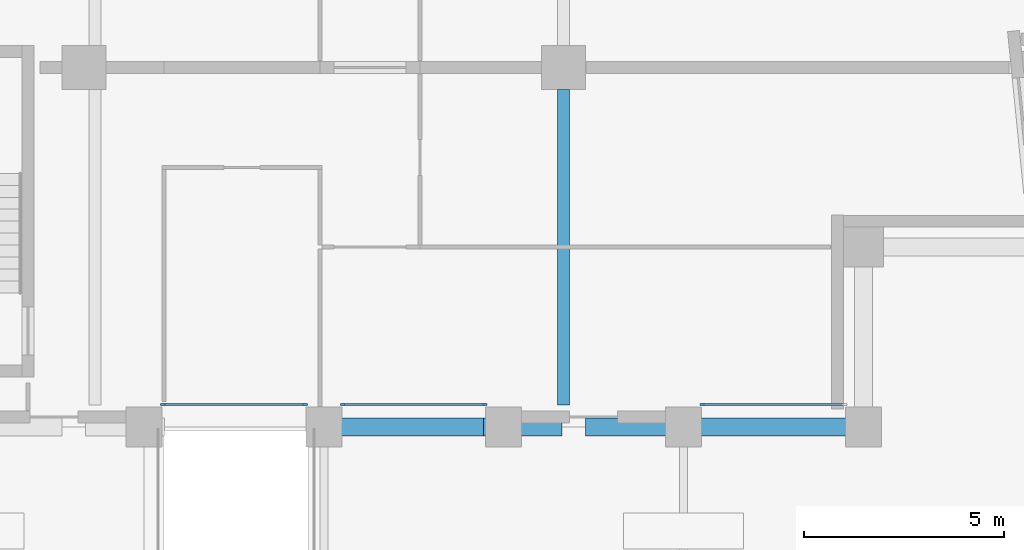
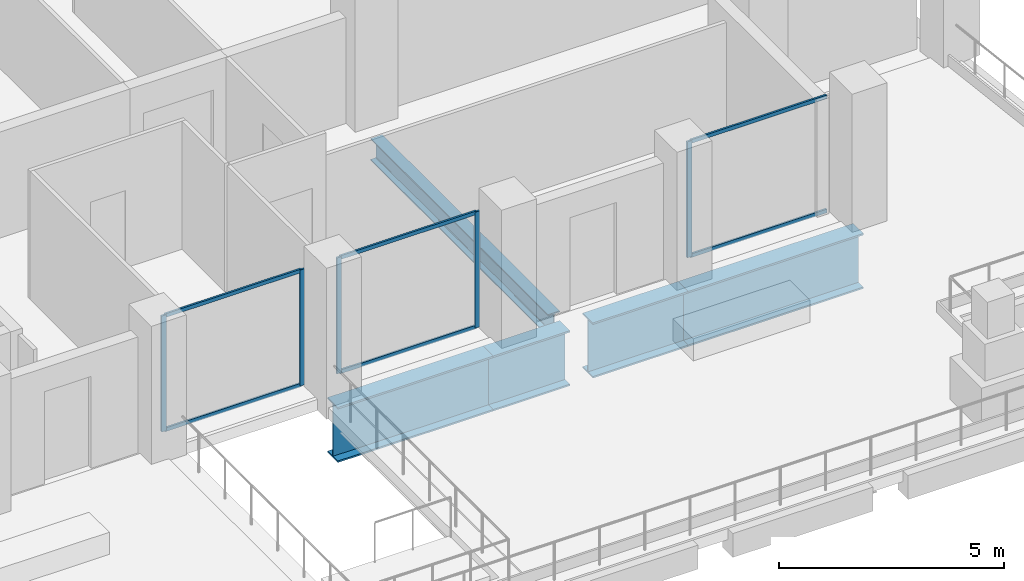
# One storey, part 2 of 19: 11 members, 5 beams, 3 elements without a shape of their own.
"""IFC4 building model written with IfcOpenShell, lengths in metres."""

import ifcopenshell
import ifcopenshell.guid

model = None  # the IFC model being written
_history = None  # IfcOwnerHistory: only IFC2X3 demands one
_inside = {}  # id of a spatial element -> (the spatial element, [elements in it])
_under = {}  # id of a project, library or spatial element -> (it, [spatial elements below it])
_declared = {}  # id of a project -> (the project, [libraries it declares])
_typed = {}  # id of a type object -> (the type object, [elements of that type])
_made_of = {}  # id of a material, layer set ... -> (it, [elements and type objects made of it])


def new_model(schema):
    """Start an empty IFC model of exactly this schema.

    Asked for "IFC4X3", IfcOpenShell would pick the latest addendum, in which some entities
    have other attributes; the version numbers below select the first issue.
    IFC2X3 requires an IfcOwnerHistory on every rooted entity: one is made here for all.
    """
    global model, _history
    if schema == "IFC4X3":
        model = ifcopenshell.file(schema_version=(4, 3, 0, 0))
    else:
        model = ifcopenshell.file(schema=schema)
    _inside.clear()
    _under.clear()
    _declared.clear()
    _typed.clear()
    _made_of.clear()
    _history = None
    if model.schema == "IFC2X3":
        org = make("IfcOrganization", Name="unknown")
        user = make(
            "IfcPersonAndOrganization",
            ThePerson=make("IfcPerson", FamilyName="unknown"),
            TheOrganization=org,
        )
        app = make(
            "IfcApplication",
            ApplicationDeveloper=org,
            Version="unknown",
            ApplicationFullName="unknown",
            ApplicationIdentifier="unknown",
        )
        _history = make(
            "IfcOwnerHistory",
            OwningUser=user,
            OwningApplication=app,
            ChangeAction="ADDED",
            CreationDate=0,
        )
    return model


def make(cls, **values):
    """One entity of the class cls with the attributes given. An attribute that is None is left unset."""
    return model.create_entity(
        cls, **{name: value for name, value in values.items() if value is not None}
    )


def rooted(cls, **values):
    """An entity with a GlobalId (a new one), such as an element, a storey or a relation."""
    return make(cls, GlobalId=ifcopenshell.guid.new(), OwnerHistory=_history, **values)


def si_unit(unit_type, name, prefix=None):
    """IfcSIUnit, for example si_unit("LENGTHUNIT", "METRE", prefix="MILLI")."""
    return make("IfcSIUnit", UnitType=unit_type, Prefix=prefix, Name=name)


def assignment(units):
    """IfcUnitAssignment: the units of a project."""
    return None if units is None else make("IfcUnitAssignment", Units=units)


def point(xyz):
    """IfcCartesianPoint."""
    return None if xyz is None else make("IfcCartesianPoint", Coordinates=xyz)


def direction(xyz):
    """IfcDirection."""
    return None if xyz is None else make("IfcDirection", DirectionRatios=xyz)


def frame(location, z_axis=None, x_axis=None):
    """IfcAxis2Placement3D, a coordinate frame: its origin and axes. An axis left out is left unset."""
    return make(
        "IfcAxis2Placement3D",
        Location=point(location),
        Axis=direction(z_axis),
        RefDirection=direction(x_axis),
    )


def frame_2d(location, x_axis=None):
    """IfcAxis2Placement2D, a coordinate frame in the plane: its origin and x axis."""
    return make(
        "IfcAxis2Placement2D", Location=point(location), RefDirection=direction(x_axis)
    )


def origin():
    """The frame at (0, 0, 0) with its axes left unset."""
    return frame((0.0, 0.0, 0.0))


def origin_2d():
    """The frame at (0, 0) in the plane with its x axis left unset."""
    return frame_2d((0.0, 0.0))


def place(relative_to, where):
    """IfcLocalPlacement: puts the frame where relative to a parent placement (None: the world)."""
    return make(
        "IfcLocalPlacement", PlacementRelTo=relative_to, RelativePlacement=where
    )


def context(
    kind, dimensions, precision=None, world=None, true_north=None, identifier=None
):
    """IfcGeometricRepresentationContext, for example the 3D "Model" context."""
    return make(
        "IfcGeometricRepresentationContext",
        ContextIdentifier=identifier,
        ContextType=kind,
        CoordinateSpaceDimension=dimensions,
        Precision=precision,
        WorldCoordinateSystem=world,
        TrueNorth=true_north,
    )


def subcontext(parent, identifier, kind, view, scale=None):
    """IfcGeometricRepresentationSubContext, for example "Body" below "Model"."""
    return make(
        "IfcGeometricRepresentationSubContext",
        ContextIdentifier=identifier,
        ContextType=kind,
        ParentContext=parent,
        TargetScale=scale,
        TargetView=view,
    )


def project(units=None, contexts=None):
    """IfcProject with its units and contexts."""
    return rooted(
        "IfcProject",
        Name="project",
        RepresentationContexts=contexts,
        UnitsInContext=assignment(units),
    )


def spatial(cls, under=None, at=None, **own):
    """A site, building, storey or space (cls), placed at a placement, below another one or the project."""
    s = rooted(cls, ObjectPlacement=at, **own)
    if under is not None:
        _under.setdefault(under.id(), (under, []))[1].append(s)
    return s


def profile(cls, at=None, kind="AREA", **sizes):
    """A parametric profile (cls). Its sizes go by their IFC names, for example OverallWidth=200.0."""
    return make(cls, ProfileType=kind, Position=at, **sizes)


def rectangle(**sizes):
    """IfcRectangleProfileDef."""
    return profile("IfcRectangleProfileDef", **sizes)


def i_section(**sizes):
    """IfcIShapeProfileDef."""
    return profile("IfcIShapeProfileDef", **sizes)


def extrude(swept, where, along, depth):
    """IfcExtrudedAreaSolid: the profile swept, set in the frame where, extruded along a direction by depth."""
    return make(
        "IfcExtrudedAreaSolid",
        SweptArea=swept,
        Position=where,
        ExtrudedDirection=direction(along),
        Depth=depth,
    )


def shape(context_of_items, identifier, shape_type, items):
    """IfcShapeRepresentation: the items that make up one representation, for example the "Body"."""
    return make(
        "IfcShapeRepresentation",
        ContextOfItems=context_of_items,
        RepresentationIdentifier=identifier,
        RepresentationType=shape_type,
        Items=items,
    )


def material(Name=None, Category=None):
    """IfcMaterial."""
    return make("IfcMaterial", Name=Name, Category=Category)


def material_profile(
    of_material, cross_section, Name=None, Category=None, Priority=None
):
    """IfcMaterialProfile: a cross section and its material."""
    return make(
        "IfcMaterialProfile",
        Name=Name,
        Material=of_material,
        Profile=cross_section,
        Priority=Priority,
        Category=Category,
    )


def profile_set(profiles, Name=None, composite=None):
    """IfcMaterialProfileSet."""
    return make(
        "IfcMaterialProfileSet",
        Name=Name,
        MaterialProfiles=profiles,
        CompositeProfile=composite,
    )


def made_of(thing, what):
    """Note that an element or type object is made of a material, layer set ...; save() writes the relation."""
    if what is not None:
        _made_of.setdefault(what.id(), (what, []))[1].append(thing)
    return thing


def type_object(cls, material=None, **own):
    """A type object (cls), such as IfcWallType, which elements share."""
    return made_of(rooted(cls, **own), material)


def element(
    cls,
    number,
    at=None,
    inside=None,
    cuts=None,
    type_object=None,
    material=None,
    context=None,
    identifier="Body",
    shape_type=None,
    held_by="IfcProductDefinitionShape",
    body=None,
    shapes=None,
    **own,
):
    """One element of the class cls, such as IfcWall. Its Tag is "e" and its number.

    at: its placement. inside: the storey or other place that contains it. cuts: it is an
    opening in that element (IfcRelVoidsElement). A single representation is given by context,
    identifier, shape_type and body (its items); several are given by shapes. held_by: the class
    of the entity that holds the representations. save() writes the other relations.
    """
    e = rooted(cls, Tag="e%d" % number, ObjectPlacement=at, **own)
    if body is not None:
        shapes = [shape(context, identifier, shape_type, body)]
    if shapes is not None:
        e.Representation = make(held_by, Representations=shapes)
    if inside is not None:
        _inside.setdefault(inside.id(), (inside, []))[1].append(e)
    if cuts is not None:
        rooted(
            "IfcRelVoidsElement", RelatingBuildingElement=cuts, RelatedOpeningElement=e
        )
    if type_object is not None:
        _typed.setdefault(type_object.id(), (type_object, []))[1].append(e)
    return made_of(e, material)


def aggregate(whole, parts):
    """IfcRelAggregates: a whole, such as a stair, and the parts it consists of."""
    return rooted("IfcRelAggregates", RelatingObject=whole, RelatedObjects=parts)


def save(model, path):
    """Write the relations noted so far, then the file.

    IfcRelAggregates (storeys below a building ...), IfcRelContainedInSpatialStructure (elements
    in a storey), IfcRelDefinesByType, IfcRelAssociatesMaterial and IfcRelDeclares: one each for
    every whole, place, type object, material and project.
    """
    for whole, parts in _under.values():
        aggregate(whole, parts)
    for where, things in _inside.values():
        rooted(
            "IfcRelContainedInSpatialStructure",
            RelatedElements=things,
            RelatingStructure=where,
        )
    for kind, things in _typed.values():
        rooted("IfcRelDefinesByType", RelatedObjects=things, RelatingType=kind)
    for what, things in _made_of.values():
        rooted("IfcRelAssociatesMaterial", RelatedObjects=things, RelatingMaterial=what)
    for by, libraries in _declared.values():
        rooted("IfcRelDeclares", RelatingContext=by, RelatedDefinitions=libraries)
    model.write(path)


model = new_model("IFC4")

# Units and contexts
model_context = context("Model", 3, precision=1e-05, world=origin(), true_north=direction((0.0, 1.0)))
body_context = subcontext(model_context, "Body", "Model", "MODEL_VIEW")
ifc_project = project(units=[si_unit("LENGTHUNIT", "METRE"), si_unit("AREAUNIT", "SQUARE_METRE"), si_unit("VOLUMEUNIT", "CUBIC_METRE"), si_unit("PLANEANGLEUNIT", "RADIAN"), si_unit("MASSUNIT", "GRAM", prefix="KILO")], contexts=[model_context])

# Site, building, storey
site_placement = place(None, origin())
site = spatial("IfcSite", under=ifc_project, at=site_placement, CompositionType="ELEMENT")
building_placement = place(site_placement, origin())
building = spatial("IfcBuilding", under=site, at=building_placement, Name="Brondeck Convention Tower", CompositionType="ELEMENT")
storey_placement = place(building_placement, frame((0.0, 0.0, 198.800048828125)))
storey = spatial("IfcBuildingStorey", under=building, at=storey_placement, Name="L48", CompositionType="ELEMENT", Elevation=198.800048828125)

# Curtain wall, members
ifc_material_1 = material(Name="Aluminium, bronze anodised", Category="aluminium")
curtain_wall_type = type_object("IfcCurtainWallType", Name="Terrace door screen curtain wall", PredefinedType="NOTDEFINED", material=ifc_material_1)
curtain_wall_1_placement = place(storey_placement, origin())
curtain_wall_1 = element("IfcCurtainWall", 1, at=curtain_wall_1_placement, inside=storey, type_object=curtain_wall_type, Name="ENV-CW6-L48-B-S18-03", PredefinedType="NOTDEFINED")
ifc_material_profile_1 = material_profile(ifc_material_1, rectangle(XDim=0.050048828125, YDim=0.1201171875, at=origin_2d()), Name="CW6 mullion")
ifc_profile_set_1 = profile_set([ifc_material_profile_1], Name="Aluminium, bronze anodised")
member_type_1 = type_object("IfcMemberType", Name="CW6 mullion", PredefinedType="MULLION", material=ifc_profile_set_1)
member_1_placement = place(storey_placement, frame((17.52490234375, 18.56005859375, 0.0), z_axis=(0.0, 0.0, 1.0), x_axis=(0.0, -1.0, 0.0)))
member_1 = element("IfcMember", 2, at=member_1_placement, type_object=member_type_1, Name="CW6 mullion 1", PredefinedType="MULLION", context=body_context, shape_type="SweptSolid", body=[
    extrude(rectangle(XDim=0.050048828125, YDim=0.1201171875, at=origin_2d()), origin(), (0.0, 0.0, 1.0), 3.14990234375),
])
member_2_placement = place(storey_placement, frame((13.97509765625, 18.56005859375, 0.0), z_axis=(0.0, 0.0, 1.0), x_axis=(0.0, -1.0, 0.0)))
member_2 = element("IfcMember", 3, at=member_2_placement, type_object=member_type_1, Name="CW6 mullion 2", PredefinedType="MULLION", context=body_context, shape_type="SweptSolid", body=[
    extrude(rectangle(XDim=0.050048828125, YDim=0.1201171875, at=origin_2d()), origin(), (0.0, 0.0, 1.0), 3.14990234375),
])

curtain_wall_2_placement = place(storey_placement, origin())
curtain_wall_2 = element("IfcCurtainWall", 4, at=curtain_wall_2_placement, inside=storey, type_object=curtain_wall_type, Name="ENV-CW6-L48-B-S18-04", PredefinedType="NOTDEFINED")
member_3_placement = place(storey_placement, frame((22.02490234375, 18.56005859375, 0.0), z_axis=(0.0, 0.0, 1.0), x_axis=(0.0, -1.0, 0.0)))
member_3 = element("IfcMember", 5, at=member_3_placement, type_object=member_type_1, Name="CW6 mullion 1", PredefinedType="MULLION", context=body_context, shape_type="SweptSolid", body=[
    extrude(rectangle(XDim=0.050048828125, YDim=0.1201171875, at=origin_2d()), origin(), (0.0, 0.0, 1.0), 3.14990234375),
])
member_4_placement = place(storey_placement, frame((18.47509765625, 18.56005859375, 0.0), z_axis=(0.0, 0.0, 1.0), x_axis=(0.0, -1.0, 0.0)))
member_4 = element("IfcMember", 6, at=member_4_placement, type_object=member_type_1, Name="CW6 mullion 2", PredefinedType="MULLION", context=body_context, shape_type="SweptSolid", body=[
    extrude(rectangle(XDim=0.050048828125, YDim=0.1201171875, at=origin_2d()), origin(), (0.0, 0.0, 1.0), 3.14990234375),
])

# Curtain wall, member
curtain_wall_3_placement = place(storey_placement, origin())
curtain_wall_3 = element("IfcCurtainWall", 7, at=curtain_wall_3_placement, inside=storey, type_object=curtain_wall_type, Name="ENV-CW6-L48-B-S18-06", PredefinedType="NOTDEFINED")
member_5_placement = place(storey_placement, frame((27.47509765625, 18.56005859375, 0.0), z_axis=(0.0, 0.0, 1.0), x_axis=(0.0, -1.0, 0.0)))
member_5 = element("IfcMember", 8, at=member_5_placement, type_object=member_type_1, Name="CW6 mullion 2", PredefinedType="MULLION", context=body_context, shape_type="SweptSolid", body=[
    extrude(rectangle(XDim=0.050048828125, YDim=0.1201171875, at=origin_2d()), origin(), (0.0, 0.0, 1.0), 3.14990234375),
])

# Member
ifc_material_profile_2 = material_profile(ifc_material_1, rectangle(XDim=0.050048828125, YDim=0.10009765625, at=origin_2d()), Name="CW6 transom")
ifc_profile_set_2 = profile_set([ifc_material_profile_2], Name="Aluminium, bronze anodised")
member_type_2 = type_object("IfcMemberType", Name="CW6 transom", PredefinedType="USERDEFINED", material=ifc_profile_set_2)
member_6_placement = place(storey_placement, frame((17.5, 18.56005859375, 0.02490234375), z_axis=(-1.0, 0.0, 0.0), x_axis=(0.0, -1.0, 0.0)))
member_6 = element("IfcMember", 9, at=member_6_placement, type_object=member_type_2, Name="CW6 transom 1.1", ObjectType="TRANSOM", PredefinedType="USERDEFINED", context=body_context, shape_type="SweptSolid", body=[
    extrude(rectangle(XDim=0.050048828125, YDim=0.10009765625, at=origin_2d()), origin(), (0.0, 0.0, 1.0), 3.5),
])

member_7_placement = place(storey_placement, frame((17.5, 18.56005859375, 3.125), z_axis=(-1.0, 0.0, 0.0), x_axis=(0.0, -1.0, 0.0)))
member_7 = element("IfcMember", 10, at=member_7_placement, type_object=member_type_2, Name="CW6 transom 1.2", ObjectType="TRANSOM", PredefinedType="USERDEFINED", context=body_context, shape_type="SweptSolid", body=[
    extrude(rectangle(XDim=0.050048828125, YDim=0.10009765625, at=origin_2d()), origin(), (0.0, 0.0, 1.0), 3.5),
])

aggregate(curtain_wall_1, [member_1, member_2, member_6, member_7])

member_8_placement = place(storey_placement, frame((22.0, 18.56005859375, 0.02490234375), z_axis=(-1.0, 0.0, 0.0), x_axis=(0.0, -1.0, 0.0)))
member_8 = element("IfcMember", 11, at=member_8_placement, type_object=member_type_2, Name="CW6 transom 1.1", ObjectType="TRANSOM", PredefinedType="USERDEFINED", context=body_context, shape_type="SweptSolid", body=[
    extrude(rectangle(XDim=0.050048828125, YDim=0.10009765625, at=origin_2d()), origin(), (0.0, 0.0, 1.0), 3.5),
])

member_9_placement = place(storey_placement, frame((22.0, 18.56005859375, 3.125), z_axis=(-1.0, 0.0, 0.0), x_axis=(0.0, -1.0, 0.0)))
member_9 = element("IfcMember", 12, at=member_9_placement, type_object=member_type_2, Name="CW6 transom 1.2", ObjectType="TRANSOM", PredefinedType="USERDEFINED", context=body_context, shape_type="SweptSolid", body=[
    extrude(rectangle(XDim=0.050048828125, YDim=0.10009765625, at=origin_2d()), origin(), (0.0, 0.0, 1.0), 3.5),
])

aggregate(curtain_wall_2, [member_3, member_4, member_8, member_9])

member_10_placement = place(storey_placement, frame((31.0, 18.56005859375, 0.02490234375), z_axis=(-1.0, 0.0, 0.0), x_axis=(0.0, -1.0, 0.0)))
member_10 = element("IfcMember", 13, at=member_10_placement, type_object=member_type_2, Name="CW6 transom 1.1", ObjectType="TRANSOM", PredefinedType="USERDEFINED", context=body_context, shape_type="SweptSolid", body=[
    extrude(rectangle(XDim=0.050048828125, YDim=0.10009765625, at=origin_2d()), origin(), (0.0, 0.0, 1.0), 3.5),
])

member_11_placement = place(storey_placement, frame((31.0, 18.56005859375, 3.125), z_axis=(-1.0, 0.0, 0.0), x_axis=(0.0, -1.0, 0.0)))
member_11 = element("IfcMember", 14, at=member_11_placement, type_object=member_type_2, Name="CW6 transom 1.2", ObjectType="TRANSOM", PredefinedType="USERDEFINED", context=body_context, shape_type="SweptSolid", body=[
    extrude(rectangle(XDim=0.050048828125, YDim=0.10009765625, at=origin_2d()), origin(), (0.0, 0.0, 1.0), 3.5),
])

aggregate(curtain_wall_3, [member_5, member_10, member_11])

# Beams
ifc_material_2 = material(Name="Steel S355", Category="steel")
ifc_material_profile_3 = material_profile(ifc_material_2, i_section(OverallWidth=0.300048828125, OverallDepth=0.60009765625, WebThickness=0.015380859375, FlangeThickness=0.030029296875, FilletRadius=0.027099609375, at=origin_2d()), Name="HEB 600")
ifc_profile_set_3 = profile_set([ifc_material_profile_3], Name="Steel S355")
beam_type_1 = type_object("IfcBeamType", Name="Girder HEB 600", PredefinedType="BEAM", material=ifc_profile_set_3)
beam_1_placement = place(storey_placement, frame((24.0, 26.449951171875, -0.60009765625), z_axis=(0.0, -1.0, 0.0), x_axis=(1.0, 0.0, 0.0)))
element("IfcBeam", 15, at=beam_1_placement, inside=storey, type_object=beam_type_1, Name="STR-GR-L48-012", PredefinedType="BEAM", context=body_context, shape_type="SweptSolid", body=[
    extrude(i_section(OverallWidth=0.300048828125, OverallDepth=0.60009765625, WebThickness=0.015380859375, FlangeThickness=0.030029296875, FilletRadius=0.027099609375, at=origin_2d()), origin(), (0.0, 0.0, 1.0), 7.89990234375),
])
ifc_material_3 = material(Name="Steel S460", Category="steel")
ifc_material_profile_4 = material_profile(ifc_material_3, i_section(OverallWidth=0.449951171875, OverallDepth=1.5, WebThickness=0.02490234375, FlangeThickness=0.044921875, at=origin_2d()), Name="PG 1500x450")
ifc_profile_set_4 = profile_set([ifc_material_profile_4], Name="Steel S460")
beam_type_2 = type_object("IfcBeamType", Name="Transfer girder PG 1500x450", PredefinedType="BEAM", material=ifc_profile_set_4)
beam_2_placement = place(storey_placement, frame((18.0, 18.0, -1.050048828125), z_axis=(1.0, 0.0, 0.0), x_axis=(0.0, 1.0, 0.0)))
element("IfcBeam", 16, at=beam_2_placement, inside=storey, type_object=beam_type_2, Name="Setback transfer girder PG-L48-6", PredefinedType="BEAM", context=body_context, shape_type="SweptSolid", body=[
    extrude(i_section(OverallWidth=0.449951171875, OverallDepth=1.5, WebThickness=0.02490234375, FlangeThickness=0.044921875, at=origin_2d()), origin(), (0.0, 0.0, 1.0), 4.5),
])
beam_3_placement = place(storey_placement, frame((21.989990234375, 18.0, -1.050048828125), z_axis=(1.0, 0.0, 0.0), x_axis=(0.0, 1.0, 0.0)))
element("IfcBeam", 17, at=beam_3_placement, inside=storey, type_object=beam_type_2, Name="Setback transfer girder PG-L48-7", PredefinedType="BEAM", context=body_context, shape_type="SweptSolid", body=[
    extrude(i_section(OverallWidth=0.449951171875, OverallDepth=1.5, WebThickness=0.02490234375, FlangeThickness=0.044921875, at=origin_2d()), origin(), (0.0, 0.0, 1.0), 1.969970703125),
])
beam_4_placement = place(storey_placement, frame((24.550048828125, 18.0, -1.050048828125), z_axis=(1.0, 0.0, 0.0), x_axis=(0.0, 1.0, 0.0)))
element("IfcBeam", 18, at=beam_4_placement, inside=storey, type_object=beam_type_2, Name="Setback transfer girder PG-L48-8", PredefinedType="BEAM", context=body_context, shape_type="SweptSolid", body=[
    extrude(i_section(OverallWidth=0.449951171875, OverallDepth=1.5, WebThickness=0.02490234375, FlangeThickness=0.044921875, at=origin_2d()), origin(), (0.0, 0.0, 1.0), 2.449951171875),
])
beam_5_placement = place(storey_placement, frame((27.0, 18.0, -1.050048828125), z_axis=(1.0, 0.0, 0.0), x_axis=(0.0, 1.0, 0.0)))
element("IfcBeam", 19, at=beam_5_placement, inside=storey, type_object=beam_type_2, Name="Setback transfer girder PG-L48-9", PredefinedType="BEAM", context=body_context, shape_type="SweptSolid", body=[
    extrude(i_section(OverallWidth=0.449951171875, OverallDepth=1.5, WebThickness=0.02490234375, FlangeThickness=0.044921875, at=origin_2d()), origin(), (0.0, 0.0, 1.0), 4.5),
])

save(model, "model.ifc")
